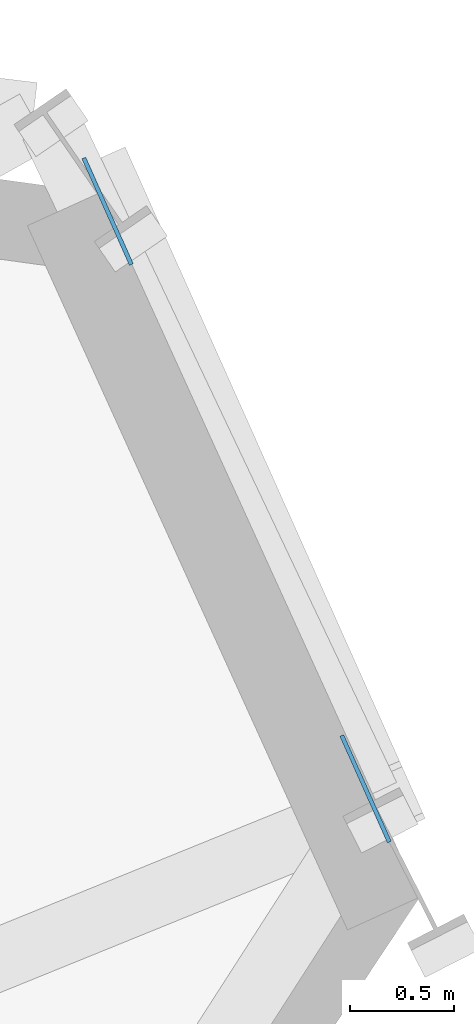
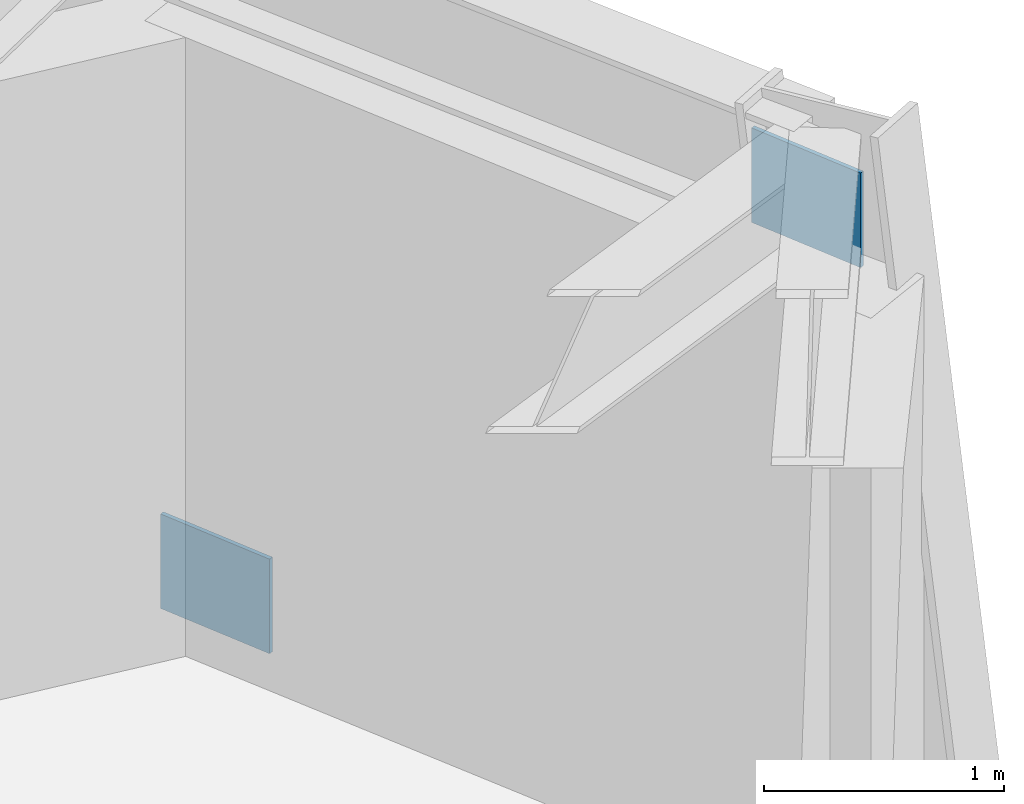
# One storey, part 10 of 16: 2 plates.
"""IFC4 building model written with IfcOpenShell, lengths in metres."""

import ifcopenshell
import ifcopenshell.guid

model = None  # the IFC model being written
_history = None  # IfcOwnerHistory: only IFC2X3 demands one
_inside = {}  # id of a spatial element -> (the spatial element, [elements in it])
_under = {}  # id of a project, library or spatial element -> (it, [spatial elements below it])
_declared = {}  # id of a project -> (the project, [libraries it declares])
_typed = {}  # id of a type object -> (the type object, [elements of that type])
_made_of = {}  # id of a material, layer set ... -> (it, [elements and type objects made of it])


def new_model(schema):
    """Start an empty IFC model of exactly this schema.

    Asked for "IFC4X3", IfcOpenShell would pick the latest addendum, in which some entities
    have other attributes; the version numbers below select the first issue.
    IFC2X3 requires an IfcOwnerHistory on every rooted entity: one is made here for all.
    """
    global model, _history
    if schema == "IFC4X3":
        model = ifcopenshell.file(schema_version=(4, 3, 0, 0))
    else:
        model = ifcopenshell.file(schema=schema)
    _inside.clear()
    _under.clear()
    _declared.clear()
    _typed.clear()
    _made_of.clear()
    _history = None
    if model.schema == "IFC2X3":
        org = make("IfcOrganization", Name="unknown")
        user = make(
            "IfcPersonAndOrganization",
            ThePerson=make("IfcPerson", FamilyName="unknown"),
            TheOrganization=org,
        )
        app = make(
            "IfcApplication",
            ApplicationDeveloper=org,
            Version="unknown",
            ApplicationFullName="unknown",
            ApplicationIdentifier="unknown",
        )
        _history = make(
            "IfcOwnerHistory",
            OwningUser=user,
            OwningApplication=app,
            ChangeAction="ADDED",
            CreationDate=0,
        )
    return model


def make(cls, **values):
    """One entity of the class cls with the attributes given. An attribute that is None is left unset."""
    return model.create_entity(
        cls, **{name: value for name, value in values.items() if value is not None}
    )


def rooted(cls, **values):
    """An entity with a GlobalId (a new one), such as an element, a storey or a relation."""
    return make(cls, GlobalId=ifcopenshell.guid.new(), OwnerHistory=_history, **values)


def si_unit(unit_type, name, prefix=None):
    """IfcSIUnit, for example si_unit("LENGTHUNIT", "METRE", prefix="MILLI")."""
    return make("IfcSIUnit", UnitType=unit_type, Prefix=prefix, Name=name)


def assignment(units):
    """IfcUnitAssignment: the units of a project."""
    return None if units is None else make("IfcUnitAssignment", Units=units)


def point(xyz):
    """IfcCartesianPoint."""
    return None if xyz is None else make("IfcCartesianPoint", Coordinates=xyz)


def direction(xyz):
    """IfcDirection."""
    return None if xyz is None else make("IfcDirection", DirectionRatios=xyz)


def frame(location, z_axis=None, x_axis=None):
    """IfcAxis2Placement3D, a coordinate frame: its origin and axes. An axis left out is left unset."""
    return make(
        "IfcAxis2Placement3D",
        Location=point(location),
        Axis=direction(z_axis),
        RefDirection=direction(x_axis),
    )


def frame_2d(location, x_axis=None):
    """IfcAxis2Placement2D, a coordinate frame in the plane: its origin and x axis."""
    return make(
        "IfcAxis2Placement2D", Location=point(location), RefDirection=direction(x_axis)
    )


def origin():
    """The frame at (0, 0, 0) with its axes left unset."""
    return frame((0.0, 0.0, 0.0))


def origin_2d():
    """The frame at (0, 0) in the plane with its x axis left unset."""
    return frame_2d((0.0, 0.0))


def place(relative_to, where):
    """IfcLocalPlacement: puts the frame where relative to a parent placement (None: the world)."""
    return make(
        "IfcLocalPlacement", PlacementRelTo=relative_to, RelativePlacement=where
    )


def context(
    kind, dimensions, precision=None, world=None, true_north=None, identifier=None
):
    """IfcGeometricRepresentationContext, for example the 3D "Model" context."""
    return make(
        "IfcGeometricRepresentationContext",
        ContextIdentifier=identifier,
        ContextType=kind,
        CoordinateSpaceDimension=dimensions,
        Precision=precision,
        WorldCoordinateSystem=world,
        TrueNorth=true_north,
    )


def subcontext(parent, identifier, kind, view, scale=None):
    """IfcGeometricRepresentationSubContext, for example "Body" below "Model"."""
    return make(
        "IfcGeometricRepresentationSubContext",
        ContextIdentifier=identifier,
        ContextType=kind,
        ParentContext=parent,
        TargetScale=scale,
        TargetView=view,
    )


def project(units=None, contexts=None):
    """IfcProject with its units and contexts."""
    return rooted(
        "IfcProject",
        Name="project",
        RepresentationContexts=contexts,
        UnitsInContext=assignment(units),
    )


def spatial(cls, under=None, at=None, **own):
    """A site, building, storey or space (cls), placed at a placement, below another one or the project."""
    s = rooted(cls, ObjectPlacement=at, **own)
    if under is not None:
        _under.setdefault(under.id(), (under, []))[1].append(s)
    return s


def profile(cls, at=None, kind="AREA", **sizes):
    """A parametric profile (cls). Its sizes go by their IFC names, for example OverallWidth=200.0."""
    return make(cls, ProfileType=kind, Position=at, **sizes)


def rectangle(**sizes):
    """IfcRectangleProfileDef."""
    return profile("IfcRectangleProfileDef", **sizes)


def extrude(swept, where, along, depth):
    """IfcExtrudedAreaSolid: the profile swept, set in the frame where, extruded along a direction by depth."""
    return make(
        "IfcExtrudedAreaSolid",
        SweptArea=swept,
        Position=where,
        ExtrudedDirection=direction(along),
        Depth=depth,
    )


def shape(context_of_items, identifier, shape_type, items):
    """IfcShapeRepresentation: the items that make up one representation, for example the "Body"."""
    return make(
        "IfcShapeRepresentation",
        ContextOfItems=context_of_items,
        RepresentationIdentifier=identifier,
        RepresentationType=shape_type,
        Items=items,
    )


def source(mapping_origin, context_of_items, identifier, shape_type, items):
    """IfcRepresentationMap: a shape defined once, which mapped items show again and again."""
    return make(
        "IfcRepresentationMap",
        MappingOrigin=mapping_origin,
        MappedRepresentation=shape(context_of_items, identifier, shape_type, items),
    )


def transform(
    local_origin,
    x_axis=None,
    y_axis=None,
    z_axis=None,
    scale=None,
    scale2=None,
    scale3=None,
    uniform=True,
):
    """IfcCartesianTransformationOperator3D, or its non-uniform kind. x_axis, y_axis, z_axis: its Axis1, 2, 3."""
    if uniform:
        return make(
            "IfcCartesianTransformationOperator3D",
            Axis1=direction(x_axis),
            Axis2=direction(y_axis),
            LocalOrigin=point(local_origin),
            Scale=scale,
            Axis3=direction(z_axis),
        )
    return make(
        "IfcCartesianTransformationOperator3DnonUniform",
        Axis1=direction(x_axis),
        Axis2=direction(y_axis),
        LocalOrigin=point(local_origin),
        Scale=scale,
        Axis3=direction(z_axis),
        Scale2=scale2,
        Scale3=scale3,
    )


def mapped(mapping_source, mapping_target):
    """IfcMappedItem: shows the shape of a source again, moved by a transform."""
    return make(
        "IfcMappedItem", MappingSource=mapping_source, MappingTarget=mapping_target
    )


def material(Name=None, Category=None):
    """IfcMaterial."""
    return make("IfcMaterial", Name=Name, Category=Category)


def made_of(thing, what):
    """Note that an element or type object is made of a material, layer set ...; save() writes the relation."""
    if what is not None:
        _made_of.setdefault(what.id(), (what, []))[1].append(thing)
    return thing


def type_object(cls, material=None, **own):
    """A type object (cls), such as IfcWallType, which elements share."""
    return made_of(rooted(cls, **own), material)


def element(
    cls,
    number,
    at=None,
    inside=None,
    cuts=None,
    type_object=None,
    material=None,
    context=None,
    identifier="Body",
    shape_type=None,
    held_by="IfcProductDefinitionShape",
    body=None,
    shapes=None,
    **own,
):
    """One element of the class cls, such as IfcWall. Its Tag is "e" and its number.

    at: its placement. inside: the storey or other place that contains it. cuts: it is an
    opening in that element (IfcRelVoidsElement). A single representation is given by context,
    identifier, shape_type and body (its items); several are given by shapes. held_by: the class
    of the entity that holds the representations. save() writes the other relations.
    """
    e = rooted(cls, Tag="e%d" % number, ObjectPlacement=at, **own)
    if body is not None:
        shapes = [shape(context, identifier, shape_type, body)]
    if shapes is not None:
        e.Representation = make(held_by, Representations=shapes)
    if inside is not None:
        _inside.setdefault(inside.id(), (inside, []))[1].append(e)
    if cuts is not None:
        rooted(
            "IfcRelVoidsElement", RelatingBuildingElement=cuts, RelatedOpeningElement=e
        )
    if type_object is not None:
        _typed.setdefault(type_object.id(), (type_object, []))[1].append(e)
    return made_of(e, material)


def aggregate(whole, parts):
    """IfcRelAggregates: a whole, such as a stair, and the parts it consists of."""
    return rooted("IfcRelAggregates", RelatingObject=whole, RelatedObjects=parts)


def save(model, path):
    """Write the relations noted so far, then the file.

    IfcRelAggregates (storeys below a building ...), IfcRelContainedInSpatialStructure (elements
    in a storey), IfcRelDefinesByType, IfcRelAssociatesMaterial and IfcRelDeclares: one each for
    every whole, place, type object, material and project.
    """
    for whole, parts in _under.values():
        aggregate(whole, parts)
    for where, things in _inside.values():
        rooted(
            "IfcRelContainedInSpatialStructure",
            RelatedElements=things,
            RelatingStructure=where,
        )
    for kind, things in _typed.values():
        rooted("IfcRelDefinesByType", RelatedObjects=things, RelatingType=kind)
    for what, things in _made_of.values():
        rooted("IfcRelAssociatesMaterial", RelatedObjects=things, RelatingMaterial=what)
    for by, libraries in _declared.values():
        rooted("IfcRelDeclares", RelatingContext=by, RelatedDefinitions=libraries)
    model.write(path)


model = new_model("IFC4")

# Units and contexts
model_context = context("Model", 3, precision=1e-05, world=origin(), true_north=direction((0.0, 1.0)))
body_context = subcontext(model_context, "Body", "Model", "MODEL_VIEW")
ifc_project = project(units=[si_unit("LENGTHUNIT", "METRE"), si_unit("AREAUNIT", "SQUARE_METRE"), si_unit("VOLUMEUNIT", "CUBIC_METRE"), si_unit("PLANEANGLEUNIT", "RADIAN"), si_unit("MASSUNIT", "GRAM", prefix="KILO")], contexts=[model_context])

# Site, building, storey
site_placement = place(None, origin())
site = spatial("IfcSite", under=ifc_project, at=site_placement, CompositionType="ELEMENT")
building_placement = place(site_placement, origin())
building = spatial("IfcBuilding", under=site, at=building_placement, Name="Olszyna Solenne Hotel", CompositionType="ELEMENT")
storey_placement = place(building_placement, frame((0.0, 0.0, 134.10009765625)))
storey = spatial("IfcBuildingStorey", under=building, at=storey_placement, Name="L35", CompositionType="ELEMENT", Elevation=134.10009765625)

# Plates
ifc_material = material(Name="Steel S355J2", Category="steel")
plate_type = type_object("IfcPlateType", Name="GP-ND2", PredefinedType="USERDEFINED", material=ifc_material)
shared_shape = source(origin(), body_context, "Body", "SweptSolid", [
    extrude(rectangle(XDim=0.56005859375, YDim=0.02001953125, at=origin_2d()), origin(), (0.0, 0.0, 1.0), 0.47998046875),
])
for number, where, z_axis, x_axis, name in (
    (1, (64.2470703125, 40.643310546875, -0.12841796875), (0.0, 0.0, 1.0), (0.407852445573, -0.913047853423, 0.0), "Brace end connection gusset plate GP-ND2 EP-BR-L35-1-1"),
    (2, (65.48486328125, 37.87255859375, 3.078125), (0.0, 0.0, 1.0), (0.407852445573, -0.913047853423, 0.0), "Brace end connection gusset plate GP-ND2 EP-BR-L35-1-2"),
):
    element("IfcPlate", number, at=place(storey_placement, frame(where, z_axis=z_axis, x_axis=x_axis)), inside=storey, type_object=plate_type, Name=name, ObjectType="GUSSET_PLATE", PredefinedType="USERDEFINED", context=body_context, shape_type="MappedRepresentation", body=[
        mapped(shared_shape, transform((0.0, 0.0, 0.0), x_axis=(1.0, 0.0, 0.0), y_axis=(0.0, 1.0, 0.0), z_axis=(0.0, 0.0, 1.0), scale=1.0)),
    ])

save(model, "model.ifc")
